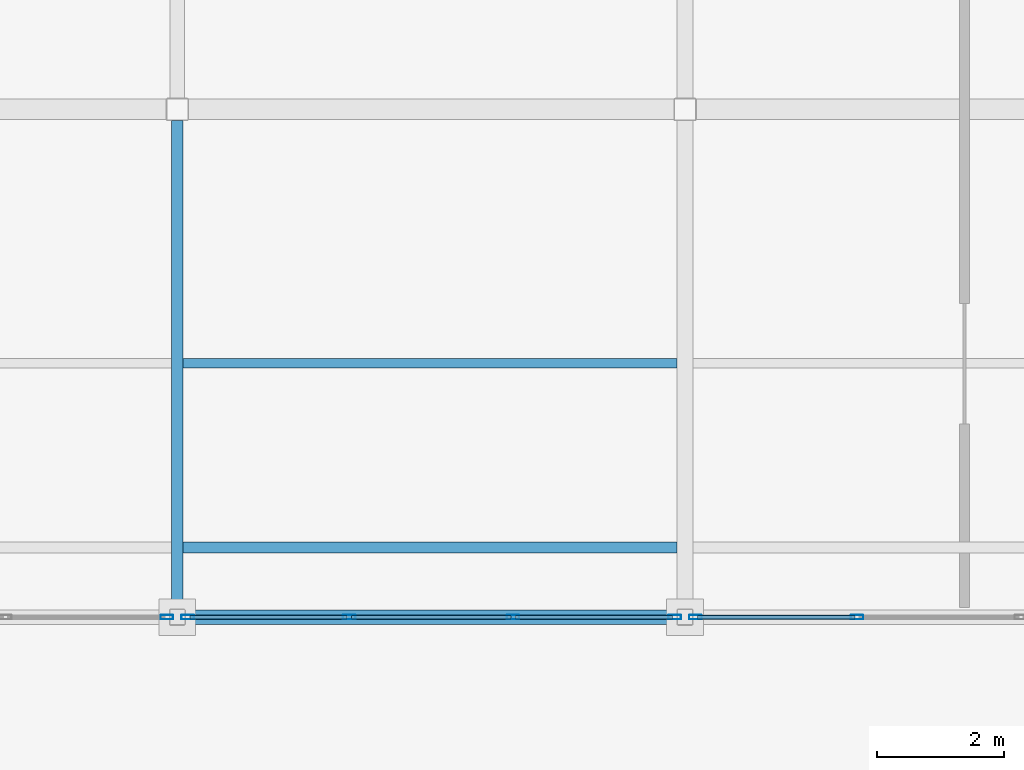
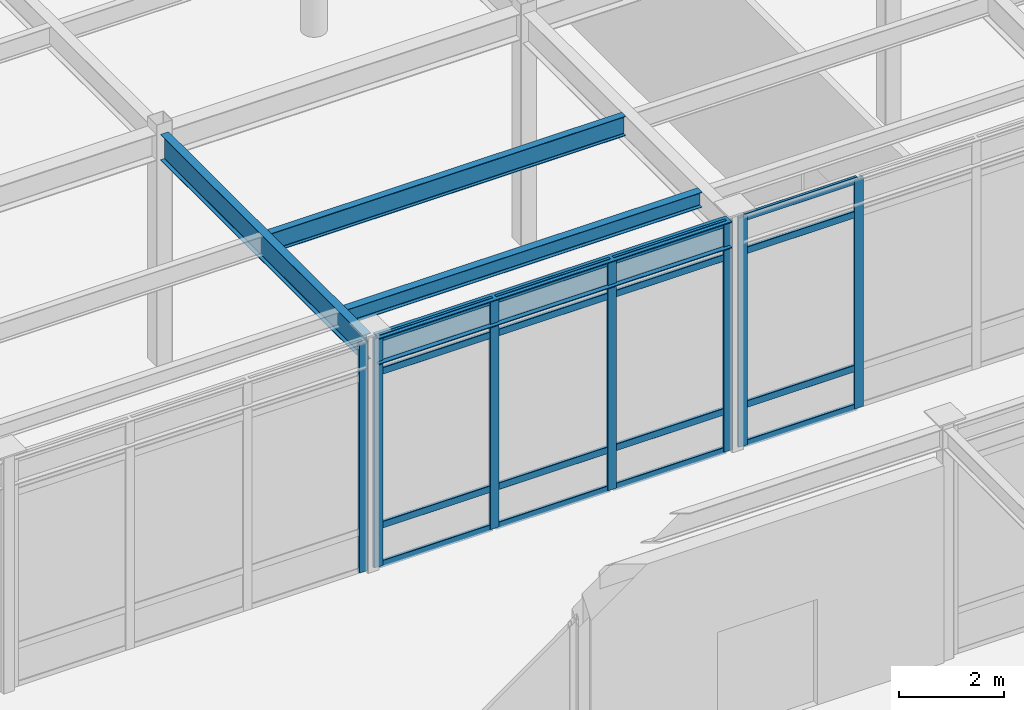
# One storey, part 63 of 128: 23 members, 4 beams, 3 elements without a shape of their own.
"""IFC4 building model written with IfcOpenShell, lengths in metres."""

from ifc_helpers import new_model, si_unit, direction, frame, origin, origin_2d, place, context, subcontext, project, spatial, hollow_rectangle, i_section, extrude, material, material_profile, profile_set, type_object, element, aggregate, save


model = new_model("IFC4")

# Units and contexts
model_context = context("Model", 3, precision=1e-05, world=origin(), true_north=direction((0.0, 1.0)))
body_context = subcontext(model_context, "Body", "Model", "MODEL_VIEW")
ifc_project = project(units=[si_unit("LENGTHUNIT", "METRE"), si_unit("AREAUNIT", "SQUARE_METRE"), si_unit("VOLUMEUNIT", "CUBIC_METRE"), si_unit("PLANEANGLEUNIT", "RADIAN"), si_unit("MASSUNIT", "GRAM", prefix="KILO")], contexts=[model_context])

# Site, building, storey
site_placement = place(None, origin())
site = spatial("IfcSite", under=ifc_project, at=site_placement, CompositionType="ELEMENT")
building_placement = place(site_placement, origin())
building = spatial("IfcBuilding", under=site, at=building_placement, Name="Solmirada Galleria", CompositionType="ELEMENT")
storey_placement = place(building_placement, origin())
storey = spatial("IfcBuildingStorey", under=building, at=storey_placement, Name="L00", CompositionType="ELEMENT", Elevation=0.0)

# Beams
ifc_material_1 = material(Name="Steel S355 / ASTM A992 Grade 50", Category="steel")
ifc_material_profile_1 = material_profile(ifc_material_1, i_section(OverallWidth=0.22900390625, OverallDepth=0.612060546875, WebThickness=0.011962890625, FlangeThickness=0.01953125, FilletRadius=0.014892578125, at=origin_2d()), Name="W24X84")
ifc_profile_set_1 = profile_set([ifc_material_profile_1], Name="Steel S355 / ASTM A992 Grade 50")
beam_type_1 = type_object("IfcBeamType", Name="BM-GIRD-W24B", PredefinedType="BEAM", material=ifc_profile_set_1)
beam_1_placement = place(storey_placement, frame((56.126953125, 72.0, 5.053955078125), z_axis=(1.0, 0.0, 0.0), x_axis=(0.0, 1.0, 0.0)))
element("IfcBeam", 1, at=beam_1_placement, inside=storey, type_object=beam_type_1, Name="Primary beam L01 X(56..64, 72)", PredefinedType="BEAM", context=body_context, shape_type="SweptSolid", body=[
    extrude(i_section(OverallWidth=0.22900390625, OverallDepth=0.612060546875, WebThickness=0.011962890625, FlangeThickness=0.01953125, FilletRadius=0.014892578125, at=origin_2d()), origin(), (0.0, 0.0, 1.0), 7.74609375),
])
ifc_material_profile_2 = material_profile(ifc_material_1, i_section(OverallWidth=0.177978515625, OverallDepth=0.59912109375, WebThickness=0.010009765625, FlangeThickness=0.0126953125, FilletRadius=0.013916015625, at=origin_2d()), Name="W24X55")
ifc_profile_set_2 = profile_set([ifc_material_profile_2], Name="Steel S355 / ASTM A992 Grade 50")
beam_type_2 = type_object("IfcBeamType", Name="BM-GIRD-W24D", PredefinedType="BEAM", material=ifc_profile_set_2)
beam_2_placement = place(storey_placement, frame((56.0, 72.126953125, 5.060546875), z_axis=(0.0, 1.0, 0.0), x_axis=(-1.0, 0.0, 0.0)))
element("IfcBeam", 2, at=beam_2_placement, inside=storey, type_object=beam_type_2, Name="Primary girder L01 Y(56, 72..80)", PredefinedType="BEAM", context=body_context, shape_type="SweptSolid", body=[
    extrude(i_section(OverallWidth=0.177978515625, OverallDepth=0.59912109375, WebThickness=0.010009765625, FlangeThickness=0.0126953125, FilletRadius=0.013916015625, at=origin_2d()), origin(), (0.0, 0.0, 1.0), 7.695068359375),
])
ifc_material_profile_3 = material_profile(ifc_material_1, i_section(OverallWidth=0.1708984375, OverallDepth=0.35205078125, WebThickness=0.0068359375, FlangeThickness=0.009765625, FilletRadius=0.010986328125, at=origin_2d()), Name="W14X30")
ifc_profile_set_3 = profile_set([ifc_material_profile_3], Name="Steel S355 / ASTM A992 Grade 50")
beam_type_3 = type_object("IfcBeamType", Name="BM-JST-W14B", PredefinedType="JOIST", material=ifc_profile_set_3)
beam_3_placement = place(storey_placement, frame((56.089111328125, 73.10009765625, 5.18408203125), z_axis=(1.0, 0.0, 0.0), x_axis=(0.0, 1.0, 0.0)))
element("IfcBeam", 3, at=beam_3_placement, inside=storey, type_object=beam_type_3, Name="Terrace deck joist L01-TERR-NW X=56..64 (1)", PredefinedType="JOIST", context=body_context, shape_type="SweptSolid", body=[
    extrude(i_section(OverallWidth=0.1708984375, OverallDepth=0.35205078125, WebThickness=0.0068359375, FlangeThickness=0.009765625, FilletRadius=0.010986328125, at=origin_2d()), origin(), (0.0, 0.0, 1.0), 7.783935546875),
])
ifc_material_profile_4 = material_profile(ifc_material_1, i_section(OverallWidth=0.153076171875, OverallDepth=0.455078125, WebThickness=0.008056640625, FlangeThickness=0.01318359375, FilletRadius=0.011962890625, at=origin_2d()), Name="W18X40")
ifc_profile_set_4 = profile_set([ifc_material_profile_4], Name="Steel S355 / ASTM A992 Grade 50")
beam_type_4 = type_object("IfcBeamType", Name="BM-JST-W18A", PredefinedType="JOIST", material=ifc_profile_set_4)
beam_4_placement = place(storey_placement, frame((56.089111328125, 76.0, 5.132568359375), z_axis=(1.0, 0.0, 0.0), x_axis=(0.0, 1.0, 0.0)))
element("IfcBeam", 4, at=beam_4_placement, inside=storey, type_object=beam_type_4, Name="Composite floor joist L01 (56..64, 76.0)", PredefinedType="JOIST", context=body_context, shape_type="SweptSolid", body=[
    extrude(i_section(OverallWidth=0.153076171875, OverallDepth=0.455078125, WebThickness=0.008056640625, FlangeThickness=0.01318359375, FilletRadius=0.011962890625, at=origin_2d()), origin(), (0.0, 0.0, 1.0), 7.783935546875),
])

# Curtain wall, members
ifc_material_2 = material(Name="Impact-resistant low-E double glazing", Category="glass")
curtain_wall_type = type_object("IfcCurtainWallType", Name="CW-FZ4-L00-B3-L077", PredefinedType="NOTDEFINED", material=ifc_material_2)
curtain_wall_1_placement = place(storey_placement, origin())
curtain_wall_1 = element("IfcCurtainWall", 5, at=curtain_wall_1_placement, inside=storey, type_object=curtain_wall_type, Name="Terrace and arcade storefront CW-L00-005", PredefinedType="NOTDEFINED")
ifc_material_3 = material(Name="Anodised aluminium framing", Category="aluminium")
ifc_material_profile_5 = material_profile(ifc_material_3, hollow_rectangle(XDim=0.070068359375, YDim=0.199951171875, WallThickness=0.004150390625, InnerFilletRadius=0.004150390625, OuterFilletRadius=0.00830078125, at=origin_2d()), Name="ALU-MULL-200X70")
ifc_profile_set_5 = profile_set([ifc_material_profile_5], Name="Anodised aluminium framing")
member_type_1 = type_object("IfcMemberType", Name="CW-MULL-200", PredefinedType="MULLION", material=ifc_profile_set_5)
member_1_placement = place(storey_placement, frame((66.709716796875, 72.0, 0.0), z_axis=(0.0, 0.0, 1.0), x_axis=(0.0, -1.0, 0.0)))
member_1 = element("IfcMember", 6, at=member_1_placement, type_object=member_type_1, Name="CW03 mullion 3", PredefinedType="MULLION", context=body_context, shape_type="SweptSolid", body=[
    extrude(hollow_rectangle(XDim=0.070068359375, YDim=0.199951171875, WallThickness=0.004150390625, InnerFilletRadius=0.004150390625, OuterFilletRadius=0.00830078125, at=origin_2d()), origin(), (0.0, 0.0, 1.0), 5.320068359375),
])
member_2_placement = place(storey_placement, frame((64.1640625, 72.0, 0.0), z_axis=(0.0, 0.0, 1.0), x_axis=(0.0, -1.0, 0.0)))
member_2 = element("IfcMember", 7, at=member_2_placement, type_object=member_type_1, Name="CW03 mullion 4", PredefinedType="MULLION", context=body_context, shape_type="SweptSolid", body=[
    extrude(hollow_rectangle(XDim=0.070068359375, YDim=0.199951171875, WallThickness=0.004150390625, InnerFilletRadius=0.004150390625, OuterFilletRadius=0.00830078125, at=origin_2d()), origin(), (0.0, 0.0, 1.0), 5.320068359375),
])

curtain_wall_2_placement = place(storey_placement, origin())
curtain_wall_2 = element("IfcCurtainWall", 8, at=curtain_wall_2_placement, inside=storey, type_object=curtain_wall_type, Name="Terrace and arcade storefront CW-L00-006", PredefinedType="NOTDEFINED")
member_3_placement = place(storey_placement, frame((63.8359375, 72.0, 0.0), z_axis=(0.0, 0.0, 1.0), x_axis=(0.0, -1.0, 0.0)))
member_3 = element("IfcMember", 9, at=member_3_placement, type_object=member_type_1, Name="CW03 mullion 1", PredefinedType="MULLION", context=body_context, shape_type="SweptSolid", body=[
    extrude(hollow_rectangle(XDim=0.070068359375, YDim=0.199951171875, WallThickness=0.004150390625, InnerFilletRadius=0.004150390625, OuterFilletRadius=0.00830078125, at=origin_2d()), origin(), (0.0, 0.0, 1.0), 5.320068359375),
])
member_4_placement = place(storey_placement, frame((61.290283203125, 72.0, 0.0), z_axis=(0.0, 0.0, 1.0), x_axis=(0.0, -1.0, 0.0)))
member_4 = element("IfcMember", 10, at=member_4_placement, type_object=member_type_1, Name="CW03 mullion 2", PredefinedType="MULLION", context=body_context, shape_type="SweptSolid", body=[
    extrude(hollow_rectangle(XDim=0.070068359375, YDim=0.199951171875, WallThickness=0.004150390625, InnerFilletRadius=0.004150390625, OuterFilletRadius=0.00830078125, at=origin_2d()), origin(), (0.0, 0.0, 1.0), 5.320068359375),
])
member_5_placement = place(storey_placement, frame((58.709716796875, 72.0, 0.0), z_axis=(0.0, 0.0, 1.0), x_axis=(0.0, -1.0, 0.0)))
member_5 = element("IfcMember", 11, at=member_5_placement, type_object=member_type_1, Name="CW03 mullion 3", PredefinedType="MULLION", context=body_context, shape_type="SweptSolid", body=[
    extrude(hollow_rectangle(XDim=0.070068359375, YDim=0.199951171875, WallThickness=0.004150390625, InnerFilletRadius=0.004150390625, OuterFilletRadius=0.00830078125, at=origin_2d()), origin(), (0.0, 0.0, 1.0), 5.320068359375),
])
member_6_placement = place(storey_placement, frame((56.1640625, 72.0, 0.0), z_axis=(0.0, 0.0, 1.0), x_axis=(0.0, -1.0, 0.0)))
member_6 = element("IfcMember", 12, at=member_6_placement, type_object=member_type_1, Name="CW03 mullion 4", PredefinedType="MULLION", context=body_context, shape_type="SweptSolid", body=[
    extrude(hollow_rectangle(XDim=0.070068359375, YDim=0.199951171875, WallThickness=0.004150390625, InnerFilletRadius=0.004150390625, OuterFilletRadius=0.00830078125, at=origin_2d()), origin(), (0.0, 0.0, 1.0), 5.320068359375),
])

# Curtain wall, member
curtain_wall_3_placement = place(storey_placement, origin())
curtain_wall_3 = element("IfcCurtainWall", 13, at=curtain_wall_3_placement, inside=storey, type_object=curtain_wall_type, Name="Terrace and arcade storefront CW-L00-007", PredefinedType="NOTDEFINED")
member_7_placement = place(storey_placement, frame((55.8359375, 72.0, 0.0), z_axis=(0.0, 0.0, 1.0), x_axis=(0.0, -1.0, 0.0)))
member_7 = element("IfcMember", 14, at=member_7_placement, type_object=member_type_1, Name="CW03 mullion 1", PredefinedType="MULLION", context=body_context, shape_type="SweptSolid", body=[
    extrude(hollow_rectangle(XDim=0.070068359375, YDim=0.199951171875, WallThickness=0.004150390625, InnerFilletRadius=0.004150390625, OuterFilletRadius=0.00830078125, at=origin_2d()), origin(), (0.0, 0.0, 1.0), 5.320068359375),
])
aggregate(curtain_wall_3, [member_7])

# Member
ifc_material_profile_6 = material_profile(ifc_material_3, hollow_rectangle(XDim=0.06494140625, YDim=0.159912109375, WallThickness=0.00390625, InnerFilletRadius=0.00390625, OuterFilletRadius=0.007568359375, at=origin_2d()), Name="ALU-TRAN-160X65")
ifc_profile_set_6 = profile_set([ifc_material_profile_6], Name="Anodised aluminium framing")
member_type_2 = type_object("IfcMemberType", Name="CW-TRAN-160", PredefinedType="USERDEFINED", material=ifc_profile_set_6)
member_8_placement = place(storey_placement, frame((66.674560546875, 72.0, 0.032470703125), z_axis=(-1.0, 0.0, 0.0), x_axis=(0.0, -1.0, 0.0)))
member_8 = element("IfcMember", 15, at=member_8_placement, type_object=member_type_2, Name="CW03 transom 3.1", ObjectType="TRANSOM", PredefinedType="USERDEFINED", context=body_context, shape_type="SweptSolid", body=[
    extrude(hollow_rectangle(XDim=0.06494140625, YDim=0.159912109375, WallThickness=0.00390625, InnerFilletRadius=0.00390625, OuterFilletRadius=0.007568359375, at=origin_2d()), origin(), (0.0, 0.0, 1.0), 2.4755859375),
])

member_9_placement = place(storey_placement, frame((66.674560546875, 72.0, 0.93994140625), z_axis=(-1.0, 0.0, 0.0), x_axis=(0.0, -1.0, 0.0)))
member_9 = element("IfcMember", 16, at=member_9_placement, type_object=member_type_2, Name="CW03 transom 3.2", ObjectType="TRANSOM", PredefinedType="USERDEFINED", context=body_context, shape_type="SweptSolid", body=[
    extrude(hollow_rectangle(XDim=0.06494140625, YDim=0.159912109375, WallThickness=0.00390625, InnerFilletRadius=0.00390625, OuterFilletRadius=0.007568359375, at=origin_2d()), origin(), (0.0, 0.0, 1.0), 2.4755859375),
])

member_10_placement = place(storey_placement, frame((66.674560546875, 72.0, 4.510009765625), z_axis=(-1.0, 0.0, 0.0), x_axis=(0.0, -1.0, 0.0)))
member_10 = element("IfcMember", 17, at=member_10_placement, type_object=member_type_2, Name="CW03 transom 3.3", ObjectType="TRANSOM", PredefinedType="USERDEFINED", context=body_context, shape_type="SweptSolid", body=[
    extrude(hollow_rectangle(XDim=0.06494140625, YDim=0.159912109375, WallThickness=0.00390625, InnerFilletRadius=0.00390625, OuterFilletRadius=0.007568359375, at=origin_2d()), origin(), (0.0, 0.0, 1.0), 2.4755859375),
])

member_11_placement = place(storey_placement, frame((66.674560546875, 72.0, 5.28759765625), z_axis=(-1.0, 0.0, 0.0), x_axis=(0.0, -1.0, 0.0)))
member_11 = element("IfcMember", 18, at=member_11_placement, type_object=member_type_2, Name="CW03 transom 3.4", ObjectType="TRANSOM", PredefinedType="USERDEFINED", context=body_context, shape_type="SweptSolid", body=[
    extrude(hollow_rectangle(XDim=0.06494140625, YDim=0.159912109375, WallThickness=0.00390625, InnerFilletRadius=0.00390625, OuterFilletRadius=0.007568359375, at=origin_2d()), origin(), (0.0, 0.0, 1.0), 2.4755859375),
])

aggregate(curtain_wall_1, [member_1, member_2, member_8, member_9, member_10, member_11])

member_12_placement = place(storey_placement, frame((63.801025390625, 72.0, 0.032470703125), z_axis=(-1.0, 0.0, 0.0), x_axis=(0.0, -1.0, 0.0)))
member_12 = element("IfcMember", 19, at=member_12_placement, type_object=member_type_2, Name="CW03 transom 1.1", ObjectType="TRANSOM", PredefinedType="USERDEFINED", context=body_context, shape_type="SweptSolid", body=[
    extrude(hollow_rectangle(XDim=0.06494140625, YDim=0.159912109375, WallThickness=0.00390625, InnerFilletRadius=0.00390625, OuterFilletRadius=0.007568359375, at=origin_2d()), origin(), (0.0, 0.0, 1.0), 2.4755859375),
])

member_13_placement = place(storey_placement, frame((63.801025390625, 72.0, 0.93994140625), z_axis=(-1.0, 0.0, 0.0), x_axis=(0.0, -1.0, 0.0)))
member_13 = element("IfcMember", 20, at=member_13_placement, type_object=member_type_2, Name="CW03 transom 1.2", ObjectType="TRANSOM", PredefinedType="USERDEFINED", context=body_context, shape_type="SweptSolid", body=[
    extrude(hollow_rectangle(XDim=0.06494140625, YDim=0.159912109375, WallThickness=0.00390625, InnerFilletRadius=0.00390625, OuterFilletRadius=0.007568359375, at=origin_2d()), origin(), (0.0, 0.0, 1.0), 2.4755859375),
])

member_14_placement = place(storey_placement, frame((63.801025390625, 72.0, 4.510009765625), z_axis=(-1.0, 0.0, 0.0), x_axis=(0.0, -1.0, 0.0)))
member_14 = element("IfcMember", 21, at=member_14_placement, type_object=member_type_2, Name="CW03 transom 1.3", ObjectType="TRANSOM", PredefinedType="USERDEFINED", context=body_context, shape_type="SweptSolid", body=[
    extrude(hollow_rectangle(XDim=0.06494140625, YDim=0.159912109375, WallThickness=0.00390625, InnerFilletRadius=0.00390625, OuterFilletRadius=0.007568359375, at=origin_2d()), origin(), (0.0, 0.0, 1.0), 2.4755859375),
])

member_15_placement = place(storey_placement, frame((63.801025390625, 72.0, 5.28759765625), z_axis=(-1.0, 0.0, 0.0), x_axis=(0.0, -1.0, 0.0)))
member_15 = element("IfcMember", 22, at=member_15_placement, type_object=member_type_2, Name="CW03 transom 1.4", ObjectType="TRANSOM", PredefinedType="USERDEFINED", context=body_context, shape_type="SweptSolid", body=[
    extrude(hollow_rectangle(XDim=0.06494140625, YDim=0.159912109375, WallThickness=0.00390625, InnerFilletRadius=0.00390625, OuterFilletRadius=0.007568359375, at=origin_2d()), origin(), (0.0, 0.0, 1.0), 2.4755859375),
])

member_16_placement = place(storey_placement, frame((61.25537109375, 72.0, 0.032470703125), z_axis=(-1.0, 0.0, 0.0), x_axis=(0.0, -1.0, 0.0)))
member_16 = element("IfcMember", 23, at=member_16_placement, type_object=member_type_2, Name="CW03 transom 2.1", ObjectType="TRANSOM", PredefinedType="USERDEFINED", context=body_context, shape_type="SweptSolid", body=[
    extrude(hollow_rectangle(XDim=0.06494140625, YDim=0.159912109375, WallThickness=0.00390625, InnerFilletRadius=0.00390625, OuterFilletRadius=0.007568359375, at=origin_2d()), origin(), (0.0, 0.0, 1.0), 2.5107421875),
])

member_17_placement = place(storey_placement, frame((61.25537109375, 72.0, 0.93994140625), z_axis=(-1.0, 0.0, 0.0), x_axis=(0.0, -1.0, 0.0)))
member_17 = element("IfcMember", 24, at=member_17_placement, type_object=member_type_2, Name="CW03 transom 2.2", ObjectType="TRANSOM", PredefinedType="USERDEFINED", context=body_context, shape_type="SweptSolid", body=[
    extrude(hollow_rectangle(XDim=0.06494140625, YDim=0.159912109375, WallThickness=0.00390625, InnerFilletRadius=0.00390625, OuterFilletRadius=0.007568359375, at=origin_2d()), origin(), (0.0, 0.0, 1.0), 2.5107421875),
])

member_18_placement = place(storey_placement, frame((61.25537109375, 72.0, 4.510009765625), z_axis=(-1.0, 0.0, 0.0), x_axis=(0.0, -1.0, 0.0)))
member_18 = element("IfcMember", 25, at=member_18_placement, type_object=member_type_2, Name="CW03 transom 2.3", ObjectType="TRANSOM", PredefinedType="USERDEFINED", context=body_context, shape_type="SweptSolid", body=[
    extrude(hollow_rectangle(XDim=0.06494140625, YDim=0.159912109375, WallThickness=0.00390625, InnerFilletRadius=0.00390625, OuterFilletRadius=0.007568359375, at=origin_2d()), origin(), (0.0, 0.0, 1.0), 2.5107421875),
])

member_19_placement = place(storey_placement, frame((61.25537109375, 72.0, 5.28759765625), z_axis=(-1.0, 0.0, 0.0), x_axis=(0.0, -1.0, 0.0)))
member_19 = element("IfcMember", 26, at=member_19_placement, type_object=member_type_2, Name="CW03 transom 2.4", ObjectType="TRANSOM", PredefinedType="USERDEFINED", context=body_context, shape_type="SweptSolid", body=[
    extrude(hollow_rectangle(XDim=0.06494140625, YDim=0.159912109375, WallThickness=0.00390625, InnerFilletRadius=0.00390625, OuterFilletRadius=0.007568359375, at=origin_2d()), origin(), (0.0, 0.0, 1.0), 2.5107421875),
])

member_20_placement = place(storey_placement, frame((58.674560546875, 72.0, 0.032470703125), z_axis=(-1.0, 0.0, 0.0), x_axis=(0.0, -1.0, 0.0)))
member_20 = element("IfcMember", 27, at=member_20_placement, type_object=member_type_2, Name="CW03 transom 3.1", ObjectType="TRANSOM", PredefinedType="USERDEFINED", context=body_context, shape_type="SweptSolid", body=[
    extrude(hollow_rectangle(XDim=0.06494140625, YDim=0.159912109375, WallThickness=0.00390625, InnerFilletRadius=0.00390625, OuterFilletRadius=0.007568359375, at=origin_2d()), origin(), (0.0, 0.0, 1.0), 2.4755859375),
])

member_21_placement = place(storey_placement, frame((58.674560546875, 72.0, 0.93994140625), z_axis=(-1.0, 0.0, 0.0), x_axis=(0.0, -1.0, 0.0)))
member_21 = element("IfcMember", 28, at=member_21_placement, type_object=member_type_2, Name="CW03 transom 3.2", ObjectType="TRANSOM", PredefinedType="USERDEFINED", context=body_context, shape_type="SweptSolid", body=[
    extrude(hollow_rectangle(XDim=0.06494140625, YDim=0.159912109375, WallThickness=0.00390625, InnerFilletRadius=0.00390625, OuterFilletRadius=0.007568359375, at=origin_2d()), origin(), (0.0, 0.0, 1.0), 2.4755859375),
])

member_22_placement = place(storey_placement, frame((58.674560546875, 72.0, 4.510009765625), z_axis=(-1.0, 0.0, 0.0), x_axis=(0.0, -1.0, 0.0)))
member_22 = element("IfcMember", 29, at=member_22_placement, type_object=member_type_2, Name="CW03 transom 3.3", ObjectType="TRANSOM", PredefinedType="USERDEFINED", context=body_context, shape_type="SweptSolid", body=[
    extrude(hollow_rectangle(XDim=0.06494140625, YDim=0.159912109375, WallThickness=0.00390625, InnerFilletRadius=0.00390625, OuterFilletRadius=0.007568359375, at=origin_2d()), origin(), (0.0, 0.0, 1.0), 2.4755859375),
])

member_23_placement = place(storey_placement, frame((58.674560546875, 72.0, 5.28759765625), z_axis=(-1.0, 0.0, 0.0), x_axis=(0.0, -1.0, 0.0)))
member_23 = element("IfcMember", 30, at=member_23_placement, type_object=member_type_2, Name="CW03 transom 3.4", ObjectType="TRANSOM", PredefinedType="USERDEFINED", context=body_context, shape_type="SweptSolid", body=[
    extrude(hollow_rectangle(XDim=0.06494140625, YDim=0.159912109375, WallThickness=0.00390625, InnerFilletRadius=0.00390625, OuterFilletRadius=0.007568359375, at=origin_2d()), origin(), (0.0, 0.0, 1.0), 2.4755859375),
])

aggregate(curtain_wall_2, [member_3, member_4, member_5, member_6, member_12, member_13, member_14, member_15, member_16, member_17, member_18, member_19, member_20, member_21, member_22, member_23])

save(model, "model.ifc")
